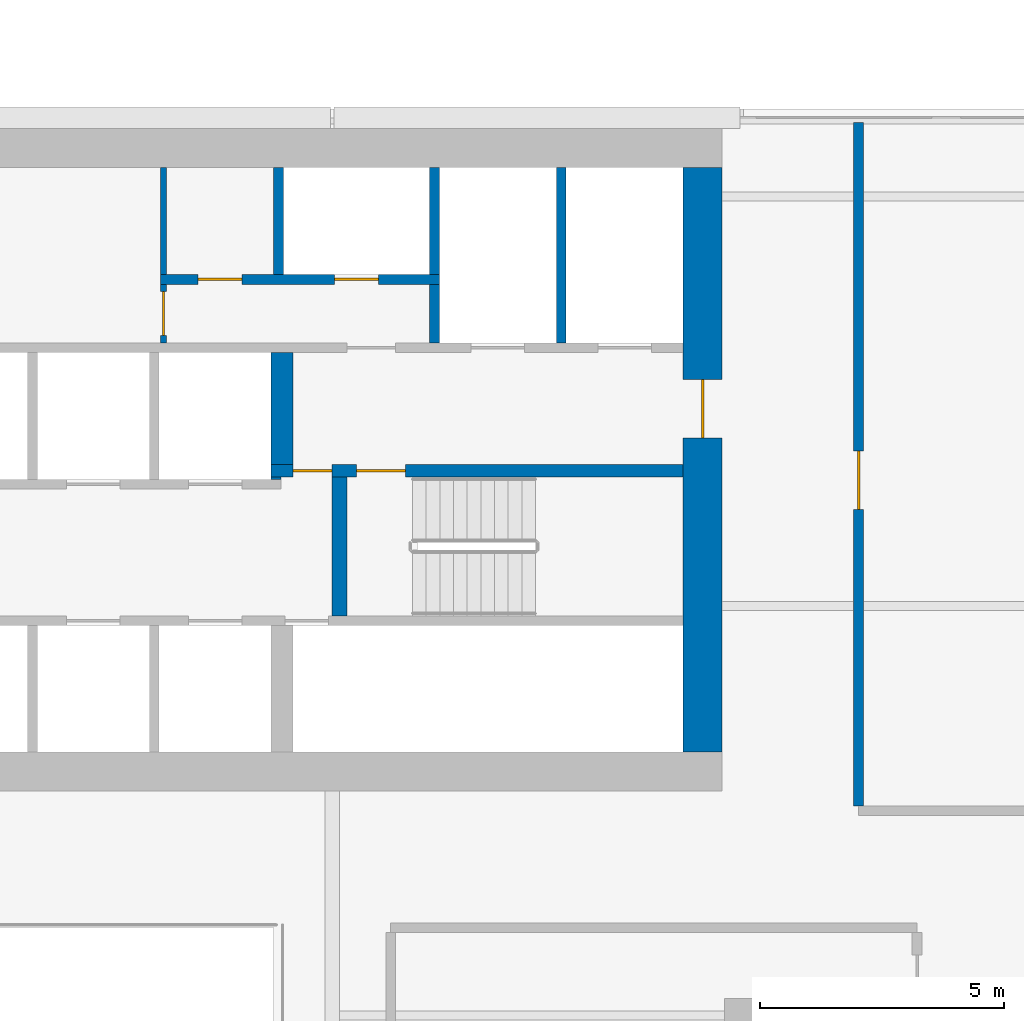
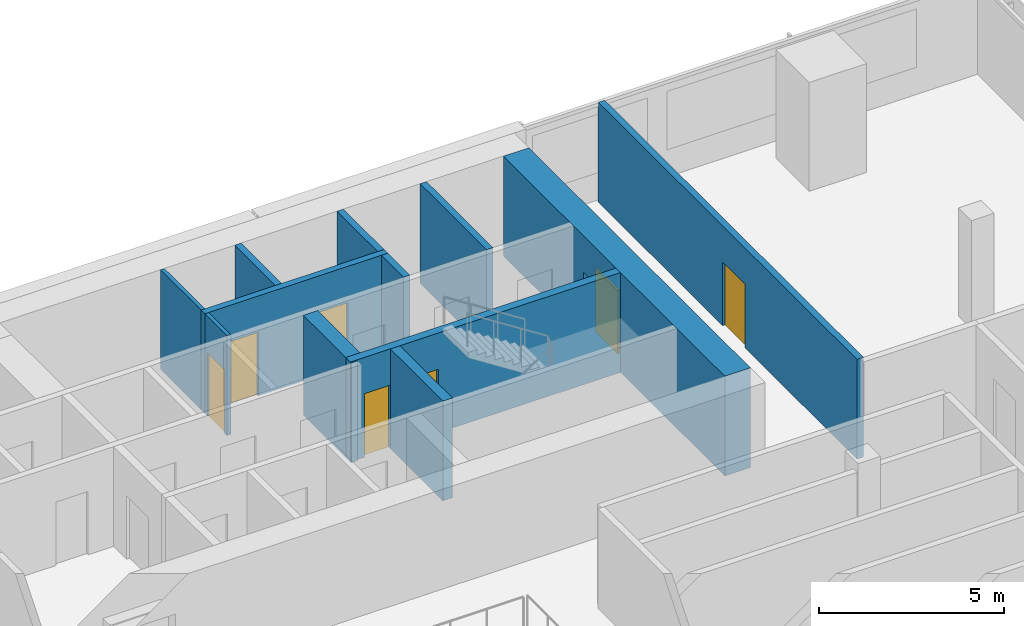
# One storey, part 20 of 24: 13 walls, 7 doors, 7 openings.
"""IFC4 building model written with IfcOpenShell, lengths in metres."""

import ifcopenshell
import ifcopenshell.guid

model = None  # the IFC model being written
_history = None  # IfcOwnerHistory: only IFC2X3 demands one
_inside = {}  # id of a spatial element -> (the spatial element, [elements in it])
_under = {}  # id of a project, library or spatial element -> (it, [spatial elements below it])
_declared = {}  # id of a project -> (the project, [libraries it declares])
_typed = {}  # id of a type object -> (the type object, [elements of that type])
_made_of = {}  # id of a material, layer set ... -> (it, [elements and type objects made of it])


def new_model(schema):
    """Start an empty IFC model of exactly this schema.

    Asked for "IFC4X3", IfcOpenShell would pick the latest addendum, in which some entities
    have other attributes; the version numbers below select the first issue.
    IFC2X3 requires an IfcOwnerHistory on every rooted entity: one is made here for all.
    """
    global model, _history
    if schema == "IFC4X3":
        model = ifcopenshell.file(schema_version=(4, 3, 0, 0))
    else:
        model = ifcopenshell.file(schema=schema)
    _inside.clear()
    _under.clear()
    _declared.clear()
    _typed.clear()
    _made_of.clear()
    _history = None
    if model.schema == "IFC2X3":
        org = make("IfcOrganization", Name="unknown")
        user = make(
            "IfcPersonAndOrganization",
            ThePerson=make("IfcPerson", FamilyName="unknown"),
            TheOrganization=org,
        )
        app = make(
            "IfcApplication",
            ApplicationDeveloper=org,
            Version="unknown",
            ApplicationFullName="unknown",
            ApplicationIdentifier="unknown",
        )
        _history = make(
            "IfcOwnerHistory",
            OwningUser=user,
            OwningApplication=app,
            ChangeAction="ADDED",
            CreationDate=0,
        )
    return model


def make(cls, **values):
    """One entity of the class cls with the attributes given. An attribute that is None is left unset."""
    return model.create_entity(
        cls, **{name: value for name, value in values.items() if value is not None}
    )


def rooted(cls, **values):
    """An entity with a GlobalId (a new one), such as an element, a storey or a relation."""
    return make(cls, GlobalId=ifcopenshell.guid.new(), OwnerHistory=_history, **values)


def si_unit(unit_type, name, prefix=None):
    """IfcSIUnit, for example si_unit("LENGTHUNIT", "METRE", prefix="MILLI")."""
    return make("IfcSIUnit", UnitType=unit_type, Prefix=prefix, Name=name)


def assignment(units):
    """IfcUnitAssignment: the units of a project."""
    return None if units is None else make("IfcUnitAssignment", Units=units)


def point(xyz):
    """IfcCartesianPoint."""
    return None if xyz is None else make("IfcCartesianPoint", Coordinates=xyz)


def direction(xyz):
    """IfcDirection."""
    return None if xyz is None else make("IfcDirection", DirectionRatios=xyz)


def frame(location, z_axis=None, x_axis=None):
    """IfcAxis2Placement3D, a coordinate frame: its origin and axes. An axis left out is left unset."""
    return make(
        "IfcAxis2Placement3D",
        Location=point(location),
        Axis=direction(z_axis),
        RefDirection=direction(x_axis),
    )


def frame_2d(location, x_axis=None):
    """IfcAxis2Placement2D, a coordinate frame in the plane: its origin and x axis."""
    return make(
        "IfcAxis2Placement2D", Location=point(location), RefDirection=direction(x_axis)
    )


def origin():
    """The frame at (0, 0, 0) with its axes left unset."""
    return frame((0.0, 0.0, 0.0))


def place(relative_to, where):
    """IfcLocalPlacement: puts the frame where relative to a parent placement (None: the world)."""
    return make(
        "IfcLocalPlacement", PlacementRelTo=relative_to, RelativePlacement=where
    )


def context(
    kind, dimensions, precision=None, world=None, true_north=None, identifier=None
):
    """IfcGeometricRepresentationContext, for example the 3D "Model" context."""
    return make(
        "IfcGeometricRepresentationContext",
        ContextIdentifier=identifier,
        ContextType=kind,
        CoordinateSpaceDimension=dimensions,
        Precision=precision,
        WorldCoordinateSystem=world,
        TrueNorth=true_north,
    )


def subcontext(parent, identifier, kind, view, scale=None):
    """IfcGeometricRepresentationSubContext, for example "Body" below "Model"."""
    return make(
        "IfcGeometricRepresentationSubContext",
        ContextIdentifier=identifier,
        ContextType=kind,
        ParentContext=parent,
        TargetScale=scale,
        TargetView=view,
    )


def project(units=None, contexts=None):
    """IfcProject with its units and contexts."""
    return rooted(
        "IfcProject",
        Name="project",
        RepresentationContexts=contexts,
        UnitsInContext=assignment(units),
    )


def spatial(cls, under=None, at=None, **own):
    """A site, building, storey or space (cls), placed at a placement, below another one or the project."""
    s = rooted(cls, ObjectPlacement=at, **own)
    if under is not None:
        _under.setdefault(under.id(), (under, []))[1].append(s)
    return s


def profile(cls, at=None, kind="AREA", **sizes):
    """A parametric profile (cls). Its sizes go by their IFC names, for example OverallWidth=200.0."""
    return make(cls, ProfileType=kind, Position=at, **sizes)


def rectangle(**sizes):
    """IfcRectangleProfileDef."""
    return profile("IfcRectangleProfileDef", **sizes)


def extrude(swept, where, along, depth):
    """IfcExtrudedAreaSolid: the profile swept, set in the frame where, extruded along a direction by depth."""
    return make(
        "IfcExtrudedAreaSolid",
        SweptArea=swept,
        Position=where,
        ExtrudedDirection=direction(along),
        Depth=depth,
    )


def shape(context_of_items, identifier, shape_type, items):
    """IfcShapeRepresentation: the items that make up one representation, for example the "Body"."""
    return make(
        "IfcShapeRepresentation",
        ContextOfItems=context_of_items,
        RepresentationIdentifier=identifier,
        RepresentationType=shape_type,
        Items=items,
    )


def material(Name=None, Category=None):
    """IfcMaterial."""
    return make("IfcMaterial", Name=Name, Category=Category)


def layer(
    of_material, thickness, ventilated=None, Name=None, Category=None, Priority=None
):
    """IfcMaterialLayer: one layer of a wall or slab, of a material (None: an air gap)."""
    return make(
        "IfcMaterialLayer",
        Material=of_material,
        LayerThickness=thickness,
        IsVentilated=ventilated,
        Name=Name,
        Category=Category,
        Priority=Priority,
    )


def layer_set(layers, Name=None):
    """IfcMaterialLayerSet."""
    return make("IfcMaterialLayerSet", MaterialLayers=layers, LayerSetName=Name)


def made_of(thing, what):
    """Note that an element or type object is made of a material, layer set ...; save() writes the relation."""
    if what is not None:
        _made_of.setdefault(what.id(), (what, []))[1].append(thing)
    return thing


def type_object(cls, material=None, **own):
    """A type object (cls), such as IfcWallType, which elements share."""
    return made_of(rooted(cls, **own), material)


def element(
    cls,
    number,
    at=None,
    inside=None,
    cuts=None,
    type_object=None,
    material=None,
    context=None,
    identifier="Body",
    shape_type=None,
    held_by="IfcProductDefinitionShape",
    body=None,
    shapes=None,
    **own,
):
    """One element of the class cls, such as IfcWall. Its Tag is "e" and its number.

    at: its placement. inside: the storey or other place that contains it. cuts: it is an
    opening in that element (IfcRelVoidsElement). A single representation is given by context,
    identifier, shape_type and body (its items); several are given by shapes. held_by: the class
    of the entity that holds the representations. save() writes the other relations.
    """
    e = rooted(cls, Tag="e%d" % number, ObjectPlacement=at, **own)
    if body is not None:
        shapes = [shape(context, identifier, shape_type, body)]
    if shapes is not None:
        e.Representation = make(held_by, Representations=shapes)
    if inside is not None:
        _inside.setdefault(inside.id(), (inside, []))[1].append(e)
    if cuts is not None:
        rooted(
            "IfcRelVoidsElement", RelatingBuildingElement=cuts, RelatedOpeningElement=e
        )
    if type_object is not None:
        _typed.setdefault(type_object.id(), (type_object, []))[1].append(e)
    return made_of(e, material)


def fill(opening, filler):
    """IfcRelFillsElement: the door or window that sits in an opening."""
    return rooted(
        "IfcRelFillsElement",
        RelatingOpeningElement=opening,
        RelatedBuildingElement=filler,
    )


def aggregate(whole, parts):
    """IfcRelAggregates: a whole, such as a stair, and the parts it consists of."""
    return rooted("IfcRelAggregates", RelatingObject=whole, RelatedObjects=parts)


def save(model, path):
    """Write the relations noted so far, then the file.

    IfcRelAggregates (storeys below a building ...), IfcRelContainedInSpatialStructure (elements
    in a storey), IfcRelDefinesByType, IfcRelAssociatesMaterial and IfcRelDeclares: one each for
    every whole, place, type object, material and project.
    """
    for whole, parts in _under.values():
        aggregate(whole, parts)
    for where, things in _inside.values():
        rooted(
            "IfcRelContainedInSpatialStructure",
            RelatedElements=things,
            RelatingStructure=where,
        )
    for kind, things in _typed.values():
        rooted("IfcRelDefinesByType", RelatedObjects=things, RelatingType=kind)
    for what, things in _made_of.values():
        rooted("IfcRelAssociatesMaterial", RelatedObjects=things, RelatingMaterial=what)
    for by, libraries in _declared.values():
        rooted("IfcRelDeclares", RelatingContext=by, RelatedDefinitions=libraries)
    model.write(path)


model = new_model("IFC4")

# Units and contexts
model_context = context("Model", 3, precision=1e-05, world=origin(), true_north=direction((0.0, 1.0)))
body_context = subcontext(model_context, "Body", "Model", "MODEL_VIEW")
ifc_project = project(units=[si_unit("LENGTHUNIT", "METRE"), si_unit("AREAUNIT", "SQUARE_METRE"), si_unit("VOLUMEUNIT", "CUBIC_METRE"), si_unit("PLANEANGLEUNIT", "RADIAN"), si_unit("MASSUNIT", "GRAM", prefix="KILO")], contexts=[model_context])

# Site, building, storey
site_placement = place(None, origin())
site = spatial("IfcSite", under=ifc_project, at=site_placement, CompositionType="ELEMENT")
building_placement = place(site_placement, origin())
building = spatial("IfcBuilding", under=site, at=building_placement, Name="Saffron Gate Tower", CompositionType="ELEMENT")
storey_placement = place(building_placement, frame((0.0, 0.0, 190.64990234375)))
storey = spatial("IfcBuildingStorey", under=building, at=storey_placement, Name="L47", CompositionType="ELEMENT", Elevation=190.64990234375)

# Wall, opening, door
ifc_material_1 = material(Name="Concrete C60", Category="concrete")
ifc_layer_1 = layer(ifc_material_1, 0.800048828125)
ifc_layer_set_1 = layer_set([ifc_layer_1], Name="CW13 RC core wall 800 C60")
wall_type_1 = type_object("IfcWallType", Name="CW13 RC core wall 800 C60", PredefinedType="SOLIDWALL", material=ifc_layer_set_1)
wall_1_placement = place(storey_placement, frame((107.800048828125, 62.39990234375, 0.0), z_axis=(0.0, 0.0, 1.0), x_axis=(0.0, 1.0, 0.0)))
wall_1 = element("IfcWall", 1, at=wall_1_placement, inside=storey, type_object=wall_type_1, Name="Wall CW13-L47-4", PredefinedType="SOLIDWALL", context=body_context, shape_type="SweptSolid", body=[
    extrude(rectangle(XDim=12.0, YDim=0.800048828125, at=frame_2d((6.0, 0.0))), origin(), (0.0, 0.0, 1.0), 3.300048828125),
])
opening_1_placement = place(wall_1_placement, frame((6.449951171875, 0.0, 0.0)))
opening_1 = element("IfcOpeningElement", 2, at=opening_1_placement, cuts=wall_1, Name="Opening CR-08", PredefinedType="OPENING", context=body_context, shape_type="SweptSolid", body=[
    extrude(rectangle(XDim=1.199951171875, YDim=2.10009765625, at=frame_2d((0.60009765625, 1.050048828125))), frame((0.0, 0.41015625, 0.0), z_axis=(0.0, -1.0, 0.0), x_axis=(1.0, 0.0, 0.0)), (0.0, 0.0, 1.0), 0.820068359375),
])
ifc_material_2 = material(Name="Steel fire door set", Category="steel")
door_type_1 = type_object("IfcDoorType", Name="CD7 Core entrance door 1200x2100 EI 120", OperationType="NOTDEFINED", PredefinedType="DOOR", material=ifc_material_2)
door_1_placement = place(opening_1_placement, origin())
door_1 = element("IfcDoor", 3, at=door_1_placement, inside=storey, type_object=door_type_1, Name="DOOR CR-08", OperationType="SINGLE_SWING_RIGHT", OverallHeight=2.10009765625, OverallWidth=1.199951171875, PredefinedType="DOOR", context=body_context, shape_type="SweptSolid", body=[
    extrude(rectangle(XDim=1.199951171875, YDim=2.10009765625, at=frame_2d((0.60009765625, 1.050048828125))), frame((0.0, 0.02490234375, 0.0), z_axis=(0.0, -1.0, 0.0), x_axis=(1.0, 0.0, 0.0)), (0.0, 0.0, 1.0), 0.050048828125),
])
fill(opening_1, door_1)

# Wall, openings, doors
ifc_layer_2 = layer(ifc_material_1, 0.25)
ifc_layer_set_2 = layer_set([ifc_layer_2], Name="CW14 RC core wall 250 C60")
wall_type_2 = type_object("IfcWallType", Name="CW14 RC core wall 250 C60", PredefinedType="SOLIDWALL", material=ifc_layer_set_2)
wall_2_placement = place(storey_placement, frame((98.949951171875, 68.175048828125, 0.0), z_axis=(0.0, 0.0, 1.0), x_axis=(1.0, 0.0, 0.0)))
wall_2 = element("IfcWall", 4, at=wall_2_placement, inside=storey, type_object=wall_type_2, Name="Wall CW14-L47-29", PredefinedType="SOLIDWALL", context=body_context, shape_type="SweptSolid", body=[
    extrude(rectangle(XDim=8.449951171875, YDim=0.25, at=frame_2d((4.22509765625, 0.0))), origin(), (0.0, 0.0, 1.0), 3.300048828125),
])
opening_2_placement = place(wall_2_placement, frame((0.449951171875, 0.0, 0.0)))
opening_2 = element("IfcOpeningElement", 5, at=opening_2_placement, cuts=wall_2, Name="Opening CR-05", PredefinedType="OPENING", context=body_context, shape_type="SweptSolid", body=[
    extrude(rectangle(XDim=0.800048828125, YDim=2.10009765625, at=frame_2d((0.39990234375, 1.050048828125))), frame((0.0, 0.135009765625, 0.0), z_axis=(0.0, -1.0, 0.0), x_axis=(1.0, 0.0, 0.0)), (0.0, 0.0, 1.0), 0.27001953125),
])
opening_3_placement = place(wall_2_placement, frame((1.75, 0.0, 0.0)))
opening_3 = element("IfcOpeningElement", 6, at=opening_3_placement, cuts=wall_2, Name="Opening CR-16", PredefinedType="OPENING", context=body_context, shape_type="SweptSolid", body=[
    extrude(rectangle(XDim=1.0, YDim=2.10009765625, at=frame_2d((0.5, 1.050048828125))), frame((0.0, 0.135009765625, 0.0), z_axis=(0.0, -1.0, 0.0), x_axis=(1.0, 0.0, 0.0)), (0.0, 0.0, 1.0), 0.27001953125),
])
door_type_2 = type_object("IfcDoorType", Name="CD5 Stair door 1000x2100 EI 120", OperationType="NOTDEFINED", PredefinedType="DOOR", material=ifc_material_2)
door_2_placement = place(opening_3_placement, origin())
door_2 = element("IfcDoor", 7, at=door_2_placement, inside=storey, type_object=door_type_2, Name="DOOR CR-16", OperationType="SINGLE_SWING_RIGHT", OverallHeight=2.10009765625, OverallWidth=1.0, PredefinedType="DOOR", context=body_context, shape_type="SweptSolid", body=[
    extrude(rectangle(XDim=1.0, YDim=2.10009765625, at=frame_2d((0.5, 1.050048828125))), frame((0.0, 0.02490234375, 0.0), z_axis=(0.0, -1.0, 0.0), x_axis=(1.0, 0.0, 0.0)), (0.0, 0.0, 1.0), 0.050048828125),
])
fill(opening_3, door_2)
door_type_3 = type_object("IfcDoorType", Name="CD6 Lobby door 800x2100 EI 120", OperationType="NOTDEFINED", PredefinedType="DOOR", material=ifc_material_2)
door_3_placement = place(opening_2_placement, origin())
door_3 = element("IfcDoor", 8, at=door_3_placement, inside=storey, type_object=door_type_3, Name="DOOR CR-05", OperationType="SINGLE_SWING_LEFT", OverallHeight=2.10009765625, OverallWidth=0.800048828125, PredefinedType="DOOR", context=body_context, shape_type="SweptSolid", body=[
    extrude(rectangle(XDim=0.800048828125, YDim=2.10009765625, at=frame_2d((0.39990234375, 1.050048828125))), frame((0.0, 0.02490234375, 0.0), z_axis=(0.0, -1.0, 0.0), x_axis=(1.0, 0.0, 0.0)), (0.0, 0.0, 1.0), 0.050048828125),
])
fill(opening_2, door_3)

# Walls
ifc_layer_3 = layer(ifc_material_1, 0.199951171875)
ifc_layer_set_3 = layer_set([ifc_layer_3], Name="CW15 RC core wall 200 C60")
wall_type_3 = type_object("IfcWallType", Name="CW15 RC core wall 200 C60", PredefinedType="SOLIDWALL", material=ifc_layer_set_3)
wall_3_placement = place(storey_placement, frame((102.300048828125, 70.800048828125, 0.0), z_axis=(0.0, 0.0, 1.0), x_axis=(0.0, 1.0, 0.0)))
element("IfcWall", 9, at=wall_3_placement, inside=storey, type_object=wall_type_3, Name="Wall CW15-L47-38", PredefinedType="SOLIDWALL", context=body_context, shape_type="SweptSolid", body=[
    extrude(rectangle(XDim=1.199951171875, YDim=0.199951171875, at=frame_2d((0.60009765625, 0.0))), origin(), (0.0, 0.0, 1.0), 3.300048828125),
])
wall_4_placement = place(storey_placement, frame((104.89990234375, 70.800048828125, 0.0), z_axis=(0.0, 0.0, 1.0), x_axis=(0.0, 1.0, 0.0)))
element("IfcWall", 10, at=wall_4_placement, inside=storey, type_object=wall_type_3, Name="Wall CW15-L47-39", PredefinedType="SOLIDWALL", context=body_context, shape_type="SweptSolid", body=[
    extrude(rectangle(XDim=3.599853515625, YDim=0.199951171875, at=frame_2d((1.7998046875, 0.0))), origin(), (0.0, 0.0, 1.0), 3.300048828125),
])

# Wall, openings, doors
wall_5_placement = place(storey_placement, frame((96.679931640625, 72.10009765625, 0.0), z_axis=(0.0, 0.0, 1.0), x_axis=(1.0, 0.0, 0.0)))
wall_5 = element("IfcWall", 11, at=wall_5_placement, inside=storey, type_object=wall_type_3, Name="Wall CW15-L47-41", PredefinedType="SOLIDWALL", context=body_context, shape_type="SweptSolid", body=[
    extrude(rectangle(XDim=5.719970703125, YDim=0.199951171875, at=frame_2d((2.85986328125, 0.0))), origin(), (0.0, 0.0, 1.0), 3.300048828125),
])
opening_4_placement = place(wall_5_placement, frame((0.77001953125, 0.0, 0.0)))
opening_4 = element("IfcOpeningElement", 12, at=opening_4_placement, cuts=wall_5, Name="Opening CR-50", PredefinedType="OPENING", context=body_context, shape_type="SweptSolid", body=[
    extrude(rectangle(XDim=0.89990234375, YDim=2.10009765625, at=frame_2d((0.449951171875, 1.050048828125))), frame((0.0, 0.10986328125, 0.0), z_axis=(0.0, -1.0, 0.0), x_axis=(1.0, 0.0, 0.0)), (0.0, 0.0, 1.0), 0.219970703125),
])
opening_5_placement = place(wall_5_placement, frame((3.570068359375, 0.0, 0.0)))
opening_5 = element("IfcOpeningElement", 13, at=opening_5_placement, cuts=wall_5, Name="Opening CR-70", PredefinedType="OPENING", context=body_context, shape_type="SweptSolid", body=[
    extrude(rectangle(XDim=0.89990234375, YDim=2.10009765625, at=frame_2d((0.449951171875, 1.050048828125))), frame((0.0, 0.10986328125, 0.0), z_axis=(0.0, -1.0, 0.0), x_axis=(1.0, 0.0, 0.0)), (0.0, 0.0, 1.0), 0.219970703125),
])
door_type_4 = type_object("IfcDoorType", Name="CD2 Riser door 900x2100 EI 60", OperationType="NOTDEFINED", PredefinedType="DOOR", material=ifc_material_2)
door_4_placement = place(opening_5_placement, origin())
door_4 = element("IfcDoor", 14, at=door_4_placement, inside=storey, type_object=door_type_4, Name="DOOR CR-70", OperationType="SINGLE_SWING_LEFT", OverallHeight=2.10009765625, OverallWidth=0.89990234375, PredefinedType="DOOR", context=body_context, shape_type="SweptSolid", body=[
    extrude(rectangle(XDim=0.89990234375, YDim=2.10009765625, at=frame_2d((0.449951171875, 1.050048828125))), frame((0.0, 0.02490234375, 0.0), z_axis=(0.0, -1.0, 0.0), x_axis=(1.0, 0.0, 0.0)), (0.0, 0.0, 1.0), 0.050048828125),
])
fill(opening_5, door_4)
door_type_5 = type_object("IfcDoorType", Name="CD9 Room door 900x2100 EI 60", OperationType="NOTDEFINED", PredefinedType="DOOR", material=ifc_material_2)
door_5_placement = place(opening_4_placement, origin())
door_5 = element("IfcDoor", 15, at=door_5_placement, inside=storey, type_object=door_type_5, Name="DOOR CR-50", OperationType="SINGLE_SWING_LEFT", OverallHeight=2.10009765625, OverallWidth=0.89990234375, PredefinedType="DOOR", context=body_context, shape_type="SweptSolid", body=[
    extrude(rectangle(XDim=0.89990234375, YDim=2.10009765625, at=frame_2d((0.449951171875, 1.050048828125))), frame((0.0, 0.02490234375, 0.0), z_axis=(0.0, -1.0, 0.0), x_axis=(1.0, 0.0, 0.0)), (0.0, 0.0, 1.0), 0.050048828125),
])
fill(opening_4, door_5)

# Walls
for number, where, z_axis, x_axis, name in (
    (16, (99.10009765625, 72.199951171875, 0.0), (0.0, 0.0, 1.0), (0.0, 1.0, 0.0), "Wall CW15-L47-48"),
    (17, (102.300048828125, 72.199951171875, 0.0), (0.0, 0.0, 1.0), (0.0, 1.0, 0.0), "Wall CW15-L47-49"),
):
    element("IfcWall", number, at=place(storey_placement, frame(where, z_axis=z_axis, x_axis=x_axis)), inside=storey, type_object=wall_type_3, Name=name, PredefinedType="SOLIDWALL", context=body_context, shape_type="SweptSolid", body=[
        extrude(rectangle(XDim=2.199951171875, YDim=0.199951171875, at=frame_2d((1.10009765625, 0.0))), origin(), (0.0, 0.0, 1.0), 3.300048828125),
    ])
ifc_layer_4 = layer(ifc_material_1, 0.449951171875)
ifc_layer_set_4 = layer_set([ifc_layer_4], Name="CW16 RC core wall 450 C60")
wall_type_4 = type_object("IfcWallType", Name="CW16 RC core wall 450 C60", PredefinedType="SOLIDWALL", material=ifc_layer_set_4)
wall_6_placement = place(storey_placement, frame((99.175048828125, 68.300048828125, 0.0), z_axis=(0.0, 0.0, 1.0), x_axis=(0.0, 1.0, 0.0)))
element("IfcWall", 18, at=wall_6_placement, inside=storey, type_object=wall_type_4, Name="Wall CW16-L47-31", PredefinedType="SOLIDWALL", context=body_context, shape_type="SweptSolid", body=[
    extrude(rectangle(XDim=2.300048828125, YDim=0.449951171875, at=frame_2d((1.14990234375, 0.0))), origin(), (0.0, 0.0, 1.0), 3.300048828125),
])
ifc_layer_5 = layer(ifc_material_1, 0.300048828125)
ifc_layer_set_5 = layer_set([ifc_layer_5], Name="CW17 RC core wall 300 C60")
wall_type_5 = type_object("IfcWallType", Name="CW17 RC core wall 300 C60", PredefinedType="SOLIDWALL", material=ifc_layer_set_5)
wall_7_placement = place(storey_placement, frame((100.35009765625, 65.199951171875, 0.0), z_axis=(0.0, 0.0, 1.0), x_axis=(0.0, 1.0, 0.0)))
element("IfcWall", 19, at=wall_7_placement, inside=storey, type_object=wall_type_5, Name="Wall CW17-L47-19", PredefinedType="SOLIDWALL", context=body_context, shape_type="SweptSolid", body=[
    extrude(rectangle(XDim=2.85009765625, YDim=0.300048828125, at=frame_2d((1.425048828125, 0.0))), origin(), (0.0, 0.0, 1.0), 3.300048828125),
])
ifc_layer_6 = layer(ifc_material_1, 0.050048828125)
ifc_layer_set_6 = layer_set([ifc_layer_6], Name="CW18 RC core wall 50 C60")
wall_type_6 = type_object("IfcWallType", Name="CW18 RC core wall 50 C60", PredefinedType="SOLIDWALL", material=ifc_layer_set_6)
wall_8_placement = place(storey_placement, frame((98.949951171875, 68.02490234375, 0.0), z_axis=(0.0, 0.0, 1.0), x_axis=(1.0, 0.0, 0.0)))
element("IfcWall", 20, at=wall_8_placement, inside=storey, type_object=wall_type_6, Name="Wall CW18-L47-27", PredefinedType="SOLIDWALL", context=body_context, shape_type="SweptSolid", body=[
    extrude(rectangle(XDim=0.199951171875, YDim=0.050048828125, at=frame_2d((0.10009765625, 0.0))), origin(), (0.0, 0.0, 1.0), 3.300048828125),
])

# Wall, opening, door
ifc_material_3 = material(Name="Gypsum board partition on steel studs", Category="steel")
ifc_layer_7 = layer(ifc_material_3, 0.1201171875)
ifc_layer_set_7 = layer_set([ifc_layer_7], Name="CW8 Core partition 120")
wall_type_7 = type_object("IfcWallType", Name="CW8 Core partition 120", PredefinedType="PARTITIONING", material=ifc_layer_set_7)
wall_9_placement = place(storey_placement, frame((96.739990234375, 70.800048828125, 0.0), z_axis=(0.0, 0.0, 1.0), x_axis=(0.0, 1.0, 0.0)))
wall_9 = element("IfcWall", 21, at=wall_9_placement, inside=storey, type_object=wall_type_7, Name="Wall CW8-L47-37", PredefinedType="PARTITIONING", context=body_context, shape_type="SweptSolid", body=[
    extrude(rectangle(XDim=1.199951171875, YDim=0.1201171875, at=frame_2d((0.60009765625, 0.0))), origin(), (0.0, 0.0, 1.0), 3.300048828125),
])
opening_6_placement = place(wall_9_placement, frame((0.14990234375, 0.0, 0.0)))
opening_6 = element("IfcOpeningElement", 22, at=opening_6_placement, cuts=wall_9, Name="Opening CR-54", PredefinedType="OPENING", context=body_context, shape_type="SweptSolid", body=[
    extrude(rectangle(XDim=0.89990234375, YDim=2.10009765625, at=frame_2d((0.449951171875, 1.050048828125))), frame((0.0, 0.070068359375, 0.0), z_axis=(0.0, -1.0, 0.0), x_axis=(1.0, 0.0, 0.0)), (0.0, 0.0, 1.0), 0.14013671875),
])
door_6_placement = place(opening_6_placement, origin())
door_6 = element("IfcDoor", 23, at=door_6_placement, inside=storey, type_object=door_type_5, Name="DOOR CR-54", OperationType="SINGLE_SWING_LEFT", OverallHeight=2.10009765625, OverallWidth=0.89990234375, PredefinedType="DOOR", context=body_context, shape_type="SweptSolid", body=[
    extrude(rectangle(XDim=0.89990234375, YDim=2.10009765625, at=frame_2d((0.449951171875, 1.050048828125))), frame((0.0, 0.02490234375, 0.0), z_axis=(0.0, -1.0, 0.0), x_axis=(1.0, 0.0, 0.0)), (0.0, 0.0, 1.0), 0.050048828125),
])
fill(opening_6, door_6)

# Wall
wall_10_placement = place(storey_placement, frame((96.739990234375, 72.199951171875, 0.0), z_axis=(0.0, 0.0, 1.0), x_axis=(0.0, 1.0, 0.0)))
element("IfcWall", 24, at=wall_10_placement, inside=storey, type_object=wall_type_7, Name="Wall CW8-L47-47", PredefinedType="PARTITIONING", context=body_context, shape_type="SweptSolid", body=[
    extrude(rectangle(XDim=2.199951171875, YDim=0.1201171875, at=frame_2d((1.10009765625, 0.0))), origin(), (0.0, 0.0, 1.0), 3.300048828125),
])

# Wall, opening, door
ifc_material_4 = material(Name="Clay brick masonry, rendered", Category="masonry")
ifc_layer_8 = layer(ifc_material_4, 0.199951171875)
ifc_layer_set_8 = layer_set([ifc_layer_8], Name="PW3 Corridor wall 200")
wall_type_8 = type_object("IfcWallType", Name="PW3 Corridor wall 200", PredefinedType="PARTITIONING", material=ifc_layer_set_8)
wall_11_placement = place(storey_placement, frame((111.0, 75.320068359375, 0.0), z_axis=(0.0, 0.0, 1.0), x_axis=(0.0, -1.0, 0.0)))
wall_11 = element("IfcWall", 25, at=wall_11_placement, inside=storey, type_object=wall_type_8, Name="Wall C5-44", PredefinedType="PARTITIONING", context=body_context, shape_type="SweptSolid", body=[
    extrude(rectangle(XDim=14.02001953125, YDim=0.199951171875, at=frame_2d((7.010009765625, 0.0))), origin(), (0.0, 0.0, 1.0), 3.300048828125),
])
opening_7_placement = place(wall_11_placement, frame((6.7373046875, 0.0, 0.0)))
opening_7 = element("IfcOpeningElement", 26, at=opening_7_placement, cuts=wall_11, Name="Opening C5-15", PredefinedType="OPENING", context=body_context, shape_type="SweptSolid", body=[
    extrude(rectangle(XDim=1.199951171875, YDim=2.10009765625, at=frame_2d((0.60009765625, 1.050048828125))), frame((0.0, 0.10986328125, 0.0), z_axis=(0.0, -1.0, 0.0), x_axis=(1.0, 0.0, 0.0)), (0.0, 0.0, 1.0), 0.219970703125),
])
ifc_material_5 = material(Name="Timber door set", Category="wood")
door_type_6 = type_object("IfcDoorType", Name="HD1 Hall door 1200x2100", OperationType="NOTDEFINED", PredefinedType="DOOR", material=ifc_material_5)
door_7_placement = place(opening_7_placement, origin())
door_7 = element("IfcDoor", 27, at=door_7_placement, inside=storey, type_object=door_type_6, Name="Door C5-15", OperationType="SINGLE_SWING_RIGHT", OverallHeight=2.10009765625, OverallWidth=1.199951171875, PredefinedType="DOOR", context=body_context, shape_type="SweptSolid", body=[
    extrude(rectangle(XDim=1.199951171875, YDim=2.10009765625, at=frame_2d((0.60009765625, 1.050048828125))), frame((0.0, 0.02490234375, 0.0), z_axis=(0.0, -1.0, 0.0), x_axis=(1.0, 0.0, 0.0)), (0.0, 0.0, 1.0), 0.050048828125),
])
fill(opening_7, door_7)

save(model, "model.ifc")
